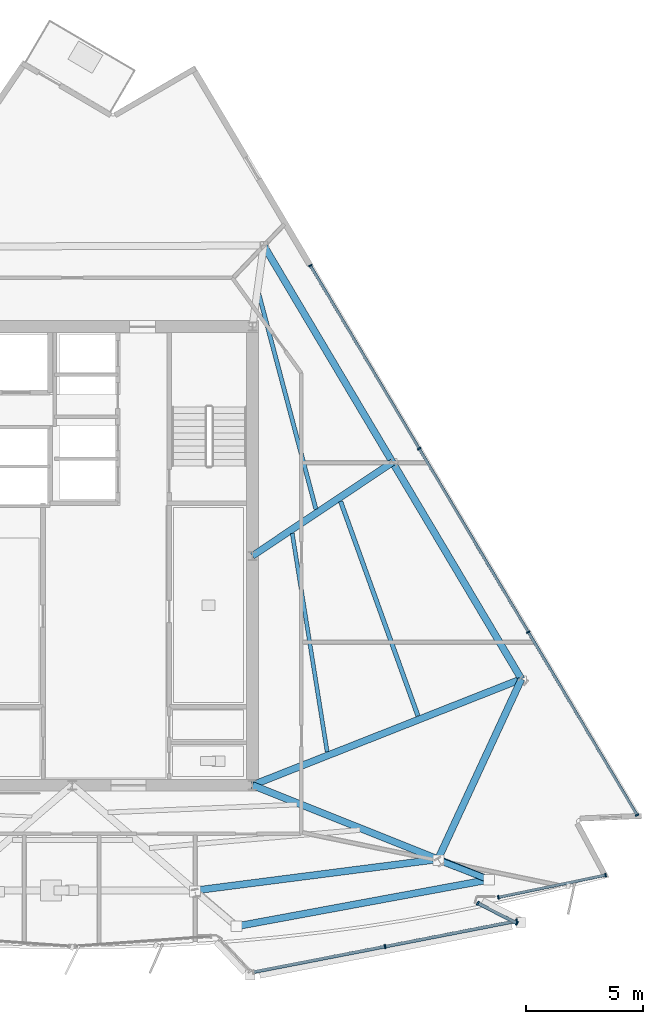
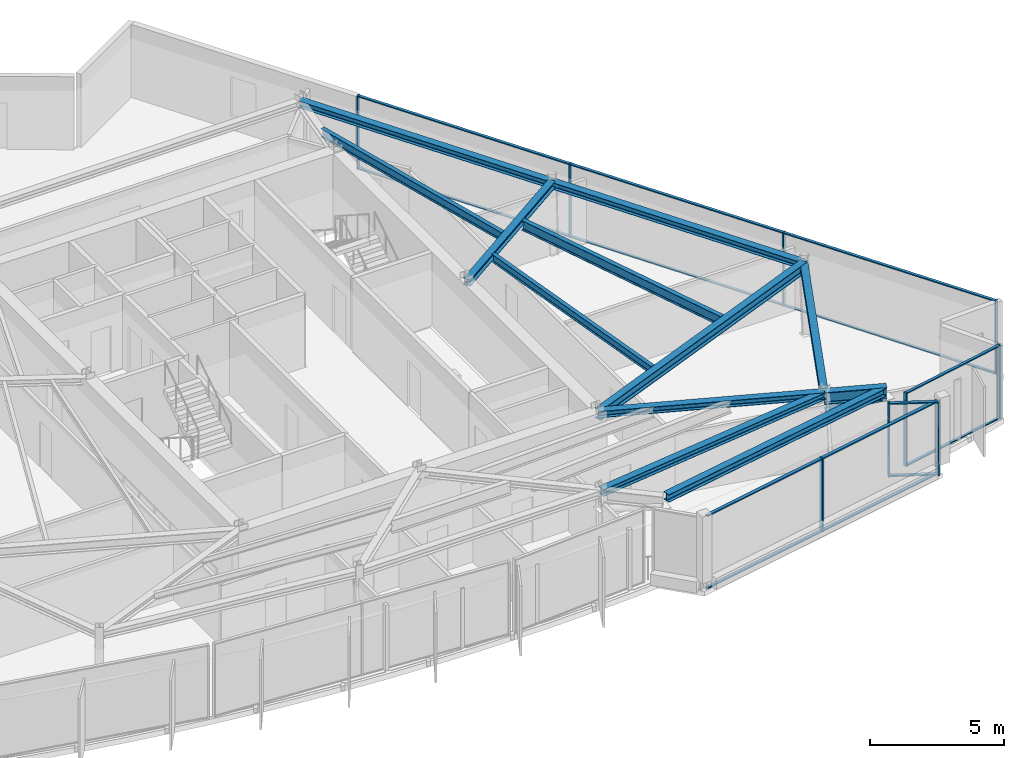
# One storey, part 5 of 12: 25 members, 12 beams, 4 elements without a shape of their own.
"""IFC4 building model written with IfcOpenShell, lengths in metres."""

from ifc_helpers import new_model, si_unit, direction, frame, origin, origin_2d, place, context, subcontext, project, spatial, rectangle, hollow_circle, i_section, extrude, material, material_profile, profile_set, type_object, element, aggregate, save


model = new_model("IFC4")

# Units and contexts
model_context = context("Model", 3, precision=1e-05, world=origin(), true_north=direction((0.0, 1.0)))
body_context = subcontext(model_context, "Body", "Model", "MODEL_VIEW")
ifc_project = project(units=[si_unit("LENGTHUNIT", "METRE"), si_unit("AREAUNIT", "SQUARE_METRE"), si_unit("VOLUMEUNIT", "CUBIC_METRE"), si_unit("PLANEANGLEUNIT", "RADIAN"), si_unit("MASSUNIT", "GRAM", prefix="KILO")], contexts=[model_context])

# Site, building, storey
site_placement = place(None, origin())
site = spatial("IfcSite", under=ifc_project, at=site_placement, CompositionType="ELEMENT")
building_placement = place(site_placement, origin())
building = spatial("IfcBuilding", under=site, at=building_placement, Name="Savorim Split Tower", CompositionType="ELEMENT")
storey_placement = place(building_placement, frame((0.0, 0.0, 261.60009765625)))
storey = spatial("IfcBuildingStorey", under=building, at=storey_placement, Name="L69", CompositionType="ELEMENT", Elevation=261.60009765625)

# Beams
ifc_material_1 = material(Name="Steel S355", Category="steel")
ifc_material_profile_1 = material_profile(ifc_material_1, i_section(OverallWidth=0.169921875, OverallDepth=0.360107421875, WebThickness=0.008056640625, FlangeThickness=0.0126953125, FilletRadius=0.01806640625, at=origin_2d()), Name="IPE 360")
ifc_profile_set_1 = profile_set([ifc_material_profile_1], Name="Steel S355")
beam_type_1 = type_object("IfcBeamType", Name="BM-JST-IPE360", PredefinedType="JOIST", material=ifc_profile_set_1)
beam_1_placement = place(storey_placement, frame((10.89404296875, -7.9716796875, 3.169921875), z_axis=(-0.157811190955, 0.987469304844, 0.0), x_axis=(-0.987469304844, -0.157811190955, 0.0)))
element("IfcBeam", 1, at=beam_1_placement, inside=storey, type_object=beam_type_1, Name="L69 Secondary Floor Joist JS-08", PredefinedType="JOIST", context=body_context, shape_type="SweptSolid", body=[
    extrude(i_section(OverallWidth=0.169921875, OverallDepth=0.360107421875, WebThickness=0.008056640625, FlangeThickness=0.0126953125, FilletRadius=0.01806640625, at=origin_2d()), origin(), (0.0, 0.0, 1.0), 9.452392578125),
])
ifc_material_profile_2 = material_profile(ifc_material_1, i_section(OverallWidth=0.179931640625, OverallDepth=0.39990234375, WebThickness=0.008544921875, FlangeThickness=0.013427734375, FilletRadius=0.02099609375, at=origin_2d()), Name="IPE 400")
ifc_profile_set_2 = profile_set([ifc_material_profile_2], Name="Steel S355")
beam_type_2 = type_object("IfcBeamType", Name="BM-JST-IPE400", PredefinedType="JOIST", material=ifc_profile_set_2)
beam_2_placement = place(storey_placement, frame((10.414306640625, 2.39501953125, 3.14990234375), z_axis=(-0.256380185379, 0.96657601902, 0.0), x_axis=(-0.96657601902, -0.256380185379, 0.0)))
element("IfcBeam", 2, at=beam_2_placement, inside=storey, type_object=beam_type_2, Name="L69 Secondary Floor Joist JS-07", PredefinedType="JOIST", context=body_context, shape_type="SweptSolid", body=[
    extrude(i_section(OverallWidth=0.179931640625, OverallDepth=0.39990234375, WebThickness=0.008544921875, FlangeThickness=0.013427734375, FilletRadius=0.02099609375, at=origin_2d()), origin(), (0.0, 0.0, 1.0), 9.5634765625),
])
ifc_material_profile_3 = material_profile(ifc_material_1, i_section(OverallWidth=0.18994140625, OverallDepth=0.449951171875, WebThickness=0.009521484375, FlangeThickness=0.0146484375, FilletRadius=0.02099609375, at=origin_2d()), Name="IPE 450")
ifc_profile_set_3 = profile_set([ifc_material_profile_3], Name="Steel S355")
beam_type_3 = type_object("IfcBeamType", Name="BM-JST-IPE450", PredefinedType="JOIST", material=ifc_profile_set_3)
beam_3_placement = place(storey_placement, frame((14.7744140625, -6.4365234375, 3.125), z_axis=(-0.339327997728, 0.940668118923, 0.0), x_axis=(-0.940668118923, -0.339327997728, 0.0)))
element("IfcBeam", 3, at=beam_3_placement, inside=storey, type_object=beam_type_3, Name="L69 Secondary Floor Joist JS-06", PredefinedType="JOIST", context=body_context, shape_type="SweptSolid", body=[
    extrude(i_section(OverallWidth=0.18994140625, OverallDepth=0.449951171875, WebThickness=0.009521484375, FlangeThickness=0.0146484375, FilletRadius=0.02099609375, at=origin_2d()), origin(), (0.0, 0.0, 1.0), 9.74462890625),
])
ifc_material_profile_4 = material_profile(ifc_material_1, i_section(OverallWidth=0.300048828125, OverallDepth=0.300048828125, WebThickness=0.010986328125, FlangeThickness=0.01904296875, FilletRadius=0.027099609375, at=origin_2d()), Name="HEB 300")
ifc_profile_set_4 = profile_set([ifc_material_profile_4], Name="Steel S355")
beam_type_4 = type_object("IfcBeamType", Name="BM-PRI-HEB300", PredefinedType="BEAM", material=ifc_profile_set_4)
beam_4_placement = place(storey_placement, frame((15.631591796875, -12.5673828125, 3.199951171875), z_axis=(-0.928685513724, 0.370868193027, 0.0), x_axis=(-0.370868193027, -0.928685513724, 0.0)))
element("IfcBeam", 4, at=beam_4_placement, inside=storey, type_object=beam_type_4, Name="L69 Primary Floor Girder RG-04", PredefinedType="BEAM", context=body_context, shape_type="SweptSolid", body=[
    extrude(i_section(OverallWidth=0.300048828125, OverallDepth=0.300048828125, WebThickness=0.010986328125, FlangeThickness=0.01904296875, FilletRadius=0.027099609375, at=origin_2d()), origin(), (0.0, 0.0, 1.0), 8.540771484375),
])
beam_5_placement = place(storey_placement, frame((13.689453125, 4.400634765625, 3.199951171875), z_axis=(-0.831554568971, -0.55544306533, 0.0), x_axis=(0.55544306533, -0.831554568971, 0.0)))
element("IfcBeam", 5, at=beam_5_placement, inside=storey, type_object=beam_type_4, Name="L69 Primary Floor Girder RG-06", PredefinedType="BEAM", context=body_context, shape_type="SweptSolid", body=[
    extrude(i_section(OverallWidth=0.300048828125, OverallDepth=0.300048828125, WebThickness=0.010986328125, FlangeThickness=0.01904296875, FilletRadius=0.027099609375, at=origin_2d()), origin(), (0.0, 0.0, 1.0), 7.202880859375),
])
ifc_material_profile_5 = material_profile(ifc_material_1, i_section(OverallWidth=0.300048828125, OverallDepth=0.449951171875, WebThickness=0.013916015625, FlangeThickness=0.02587890625, FilletRadius=0.027099609375, at=origin_2d()), Name="HEB 450")
ifc_profile_set_5 = profile_set([ifc_material_profile_5], Name="Steel S355")
beam_type_5 = type_object("IfcBeamType", Name="BM-PRI-HEB450", PredefinedType="BEAM", material=ifc_profile_set_5)
beam_6_placement = place(storey_placement, frame((19.197998046875, -4.863037109375, 3.125), z_axis=(-0.930205981142, -0.367037917181, 0.0), x_axis=(0.367037917181, -0.930205981142, 0.0)))
element("IfcBeam", 6, at=beam_6_placement, inside=storey, type_object=beam_type_5, Name="L69 Primary Floor Girder RG-05", PredefinedType="BEAM", context=body_context, shape_type="SweptSolid", body=[
    extrude(i_section(OverallWidth=0.300048828125, OverallDepth=0.449951171875, WebThickness=0.013916015625, FlangeThickness=0.02587890625, FilletRadius=0.027099609375, at=origin_2d()), origin(), (0.0, 0.0, 1.0), 12.36083984375),
])
ifc_material_profile_6 = material_profile(ifc_material_1, i_section(OverallWidth=0.300048828125, OverallDepth=0.550048828125, WebThickness=0.014892578125, FlangeThickness=0.029052734375, FilletRadius=0.027099609375, at=origin_2d()), Name="HEB 550")
ifc_profile_set_6 = profile_set([ifc_material_profile_6], Name="Steel S355")
beam_type_6 = type_object("IfcBeamType", Name="BM-PRI-HEB550", PredefinedType="BEAM", material=ifc_profile_set_6)
beam_7_placement = place(storey_placement, frame((15.631591796875, -12.5673828125, 3.074951171875), z_axis=(0.928677171562, -0.37088908183, 0.0), x_axis=(0.37088908183, 0.928677171562, 0.0)))
element("IfcBeam", 7, at=beam_7_placement, inside=storey, type_object=beam_type_6, Name="L69 Cantilevered Lounge Rib 2", PredefinedType="BEAM", context=body_context, shape_type="SweptSolid", body=[
    extrude(i_section(OverallWidth=0.300048828125, OverallDepth=0.550048828125, WebThickness=0.014892578125, FlangeThickness=0.029052734375, FilletRadius=0.027099609375, at=origin_2d()), origin(), (0.0, 0.0, 1.0), 2.35009765625),
])
ifc_material_profile_7 = material_profile(ifc_material_1, i_section(OverallWidth=0.300048828125, OverallDepth=0.31005859375, WebThickness=0.009033203125, FlangeThickness=0.015380859375, FilletRadius=0.027099609375, at=origin_2d()), Name="HEA 320")
ifc_profile_set_7 = profile_set([ifc_material_profile_7], Name="Steel S355")
beam_type_7 = type_object("IfcBeamType", Name="BM-SPN-HEA320", PredefinedType="SPANDREL", material=ifc_profile_set_7)
beam_8_placement = place(storey_placement, frame((5.239013671875, -13.90185546875, 3.19482421875), z_axis=(0.991856475874, 0.127360634682, 0.0), x_axis=(-0.127360634682, 0.991856475874, 0.0)))
element("IfcBeam", 8, at=beam_8_placement, inside=storey, type_object=beam_type_7, Name="L69 Perimeter Spandrel Beam 3", PredefinedType="SPANDREL", context=body_context, shape_type="SweptSolid", body=[
    extrude(i_section(OverallWidth=0.300048828125, OverallDepth=0.31005859375, WebThickness=0.009033203125, FlangeThickness=0.015380859375, FilletRadius=0.027099609375, at=origin_2d()), origin(), (0.0, 0.0, 1.0), 10.477783203125),
])
beam_9_placement = place(storey_placement, frame((15.631591796875, -12.5673828125, 3.19482421875), z_axis=(0.420082783209, 0.907485787906, 0.0), x_axis=(-0.907485787906, 0.420082783209, 0.0)))
element("IfcBeam", 9, at=beam_9_placement, inside=storey, type_object=beam_type_7, Name="L69 Perimeter Spandrel Beam 4", PredefinedType="SPANDREL", context=body_context, shape_type="SweptSolid", body=[
    extrude(i_section(OverallWidth=0.300048828125, OverallDepth=0.31005859375, WebThickness=0.009033203125, FlangeThickness=0.015380859375, FilletRadius=0.027099609375, at=origin_2d()), origin(), (0.0, 0.0, 1.0), 8.48974609375),
])
beam_10_placement = place(storey_placement, frame((19.197998046875, -4.863037109375, 3.19482421875), z_axis=(-0.511103888287, 0.859518944164, 0.0), x_axis=(-0.859518944164, -0.511103888287, 0.0)))
element("IfcBeam", 10, at=beam_10_placement, inside=storey, type_object=beam_type_7, Name="L69 Perimeter Spandrel Beam 5", PredefinedType="SPANDREL", context=body_context, shape_type="SweptSolid", body=[
    extrude(i_section(OverallWidth=0.300048828125, OverallDepth=0.31005859375, WebThickness=0.009033203125, FlangeThickness=0.015380859375, FilletRadius=0.027099609375, at=origin_2d()), origin(), (0.0, 0.0, 1.0), 10.77783203125),
])
beam_11_placement = place(storey_placement, frame((13.689453125, 4.400634765625, 3.19482421875), z_axis=(-0.511087153092, 0.859528895352, 0.0), x_axis=(-0.859528895352, -0.511087153092, 0.0)))
element("IfcBeam", 11, at=beam_11_placement, inside=storey, type_object=beam_type_7, Name="L69 Perimeter Spandrel Beam 6", PredefinedType="SPANDREL", context=body_context, shape_type="SweptSolid", body=[
    extrude(i_section(OverallWidth=0.300048828125, OverallDepth=0.31005859375, WebThickness=0.009033203125, FlangeThickness=0.015380859375, FilletRadius=0.027099609375, at=origin_2d()), origin(), (0.0, 0.0, 1.0), 10.777587890625),
])
ifc_material_profile_8 = material_profile(ifc_material_1, i_section(OverallWidth=0.300048828125, OverallDepth=0.35009765625, WebThickness=0.010009765625, FlangeThickness=0.017578125, FilletRadius=0.027099609375, at=origin_2d()), Name="HEA 360")
ifc_profile_set_8 = profile_set([ifc_material_profile_8], Name="Steel S355")
beam_type_8 = type_object("IfcBeamType", Name="BM-SPN-HEA360", PredefinedType="SPANDREL", material=ifc_profile_set_8)
beam_12_placement = place(storey_placement, frame((7.178466796875, -15.404296875, 3.1748046875), z_axis=(0.98335076285, 0.18171757538, 0.0), x_axis=(-0.18171757538, 0.98335076285, 0.0)))
element("IfcBeam", 12, at=beam_12_placement, inside=storey, type_object=beam_type_8, Name="L69 Cantilevered Lounge Front Edge Beam", PredefinedType="SPANDREL", context=body_context, shape_type="SweptSolid", body=[
    extrude(i_section(OverallWidth=0.300048828125, OverallDepth=0.35009765625, WebThickness=0.010009765625, FlangeThickness=0.017578125, FilletRadius=0.027099609375, at=origin_2d()), origin(), (0.0, 0.0, 1.0), 10.655517578125),
])

# Curtain wall, members
ifc_material_2 = material(Name="Dark Ceramic-Fritted Insulated Glass", Category="glass")
curtain_wall_type_1 = type_object("IfcCurtainWallType", Name="CW-TWR-FRIT-B", PredefinedType="NOTDEFINED", material=ifc_material_2)
curtain_wall_1_placement = place(storey_placement, origin())
curtain_wall_1 = element("IfcCurtainWall", 13, at=curtain_wall_1_placement, inside=storey, type_object=curtain_wall_type_1, Name="L69 Curtain Wall CW-L69-SF4A", PredefinedType="NOTDEFINED")
ifc_material_3 = material(Name="Charcoal Anodised Aluminium", Category="aluminium")
ifc_material_profile_9 = material_profile(ifc_material_3, rectangle(XDim=0.159912109375, YDim=0.06005859375, at=origin_2d()), Name="ALU-M 160x60")
ifc_profile_set_9 = profile_set([ifc_material_profile_9], Name="Charcoal Anodised Aluminium")
member_type_1 = type_object("IfcMemberType", Name="CWM-160x60", PredefinedType="MULLION", material=ifc_profile_set_9)
member_1_placement = place(storey_placement, frame((18.210205078125, -14.193359375, 0.0), z_axis=(0.0, 0.0, 1.0), x_axis=(-0.203206540915, 0.979135895435, 0.0)))
member_1 = element("IfcMember", 14, at=member_1_placement, type_object=member_type_1, Name="CW-03 mullion 1", PredefinedType="MULLION", context=body_context, shape_type="SweptSolid", body=[
    extrude(rectangle(XDim=0.159912109375, YDim=0.06005859375, at=origin_2d()), origin(), (0.0, 0.0, 1.0), 3.349853515625),
])
member_2_placement = place(storey_placement, frame((22.79541015625, -13.24169921875, 0.0), z_axis=(0.0, 0.0, 1.0), x_axis=(-0.203206540915, 0.979135895435, 0.0)))
member_2 = element("IfcMember", 15, at=member_2_placement, type_object=member_type_1, Name="CW-03 mullion 2", PredefinedType="MULLION", context=body_context, shape_type="SweptSolid", body=[
    extrude(rectangle(XDim=0.159912109375, YDim=0.06005859375, at=origin_2d()), origin(), (0.0, 0.0, 1.0), 3.349853515625),
])

curtain_wall_2_placement = place(storey_placement, origin())
curtain_wall_2 = element("IfcCurtainWall", 16, at=curtain_wall_2_placement, inside=storey, type_object=curtain_wall_type_1, Name="L69 Curtain Wall CW-L69-EAST", PredefinedType="NOTDEFINED")
member_3_placement = place(storey_placement, frame((24.138427734375, -10.678955078125, 0.0), z_axis=(0.0, 0.0, 1.0), x_axis=(-0.859527043432, -0.511090267573, 0.0)))
member_3 = element("IfcMember", 17, at=member_3_placement, type_object=member_type_1, Name="CW-03 mullion 1", PredefinedType="MULLION", context=body_context, shape_type="SweptSolid", body=[
    extrude(rectangle(XDim=0.159912109375, YDim=0.06005859375, at=origin_2d()), origin(), (0.0, 0.0, 1.0), 3.349853515625),
])
member_4_placement = place(storey_placement, frame((19.48828125, -2.85888671875, 0.0), z_axis=(0.0, 0.0, 1.0), x_axis=(-0.859527043432, -0.511090267573, 0.0)))
member_4 = element("IfcMember", 18, at=member_4_placement, type_object=member_type_1, Name="CW-03 mullion 2", PredefinedType="MULLION", context=body_context, shape_type="SweptSolid", body=[
    extrude(rectangle(XDim=0.159912109375, YDim=0.06005859375, at=origin_2d()), origin(), (0.0, 0.0, 1.0), 3.349853515625),
])
member_5_placement = place(storey_placement, frame((14.822998046875, 4.987060546875, 0.0), z_axis=(0.0, 0.0, 1.0), x_axis=(-0.859527043432, -0.511090267573, 0.0)))
member_5 = element("IfcMember", 19, at=member_5_placement, type_object=member_type_1, Name="CW-03 mullion 3", PredefinedType="MULLION", context=body_context, shape_type="SweptSolid", body=[
    extrude(rectangle(XDim=0.159912109375, YDim=0.06005859375, at=origin_2d()), origin(), (0.0, 0.0, 1.0), 3.349853515625),
])
member_6_placement = place(storey_placement, frame((10.173095703125, 12.80712890625, 0.0), z_axis=(0.0, 0.0, 1.0), x_axis=(-0.859527043432, -0.511090267573, 0.0)))
member_6 = element("IfcMember", 20, at=member_6_placement, type_object=member_type_1, Name="CW-03 mullion 4", PredefinedType="MULLION", context=body_context, shape_type="SweptSolid", body=[
    extrude(rectangle(XDim=0.159912109375, YDim=0.06005859375, at=origin_2d()), origin(), (0.0, 0.0, 1.0), 3.349853515625),
])

curtain_wall_type_2 = type_object("IfcCurtainWallType", Name="CW-BAY-LOUNGE", PredefinedType="NOTDEFINED", material=ifc_material_2)
curtain_wall_3_placement = place(storey_placement, origin())
curtain_wall_3 = element("IfcCurtainWall", 21, at=curtain_wall_3_placement, inside=storey, type_object=curtain_wall_type_2, Name="L69 Curtain Wall CW-L69-BAYF", PredefinedType="NOTDEFINED")
ifc_material_profile_10 = material_profile(ifc_material_3, rectangle(XDim=0.179931640625, YDim=0.06494140625, at=origin_2d()), Name="ALU-M 180x65")
ifc_profile_set_10 = profile_set([ifc_material_profile_10], Name="Charcoal Anodised Aluminium")
member_type_2 = type_object("IfcMemberType", Name="CWM-180x65", PredefinedType="MULLION", material=ifc_profile_set_10)
member_7_placement = place(storey_placement, frame((13.368896484375, -16.29736328125, 0.0), z_axis=(0.0, 0.0, 1.0), x_axis=(-0.190519987082, 0.98168331682, 0.0)))
member_7 = element("IfcMember", 22, at=member_7_placement, type_object=member_type_2, Name="CW-04 mullion 2", PredefinedType="MULLION", context=body_context, shape_type="SweptSolid", body=[
    extrude(rectangle(XDim=0.179931640625, YDim=0.06494140625, at=origin_2d()), origin(), (0.0, 0.0, 1.0), 3.349853515625),
])
member_8_placement = place(storey_placement, frame((18.999267578125, -15.20458984375, 0.0), z_axis=(0.0, 0.0, 1.0), x_axis=(-0.190519987082, 0.98168331682, 0.0)))
member_8 = element("IfcMember", 23, at=member_8_placement, type_object=member_type_2, Name="CW-04 mullion 3", PredefinedType="MULLION", context=body_context, shape_type="SweptSolid", body=[
    extrude(rectangle(XDim=0.179931640625, YDim=0.06494140625, at=origin_2d()), origin(), (0.0, 0.0, 1.0), 3.349853515625),
])

curtain_wall_4_placement = place(storey_placement, origin())
curtain_wall_4 = element("IfcCurtainWall", 24, at=curtain_wall_4_placement, inside=storey, type_object=curtain_wall_type_2, Name="L69 Curtain Wall CW-L69-BAYE", PredefinedType="NOTDEFINED")
member_9_placement = place(storey_placement, frame((19.00439453125, -15.302490234375, 0.0), z_axis=(0.0, 0.0, 1.0), x_axis=(-0.455832046827, -0.890065809413, 0.0)))
member_9 = element("IfcMember", 25, at=member_9_placement, type_object=member_type_2, Name="CW-04 mullion 1", PredefinedType="MULLION", context=body_context, shape_type="SweptSolid", body=[
    extrude(rectangle(XDim=0.179931640625, YDim=0.06494140625, at=origin_2d()), origin(), (0.0, 0.0, 1.0), 3.349853515625),
])
member_10_placement = place(storey_placement, frame((17.335693359375, -14.44775390625, 0.0), z_axis=(0.0, 0.0, 1.0), x_axis=(-0.455832046827, -0.890065809413, 0.0)))
member_10 = element("IfcMember", 26, at=member_10_placement, type_object=member_type_2, Name="CW-04 mullion 2", PredefinedType="MULLION", context=body_context, shape_type="SweptSolid", body=[
    extrude(rectangle(XDim=0.179931640625, YDim=0.06494140625, at=origin_2d()), origin(), (0.0, 0.0, 1.0), 3.349853515625),
])

# Member
ifc_material_profile_11 = material_profile(ifc_material_3, rectangle(XDim=0.1201171875, YDim=0.050048828125, at=origin_2d()), Name="ALU-T 120x50")
ifc_profile_set_11 = profile_set([ifc_material_profile_11], Name="Charcoal Anodised Aluminium")
member_type_3 = type_object("IfcMemberType", Name="CWT-120x50", PredefinedType="USERDEFINED", material=ifc_profile_set_11)
member_11_placement = place(storey_placement, frame((18.23974609375, -14.187255859375, 0.02490234375), z_axis=(0.979133044379, 0.203220278035, 0.0), x_axis=(-0.203220278035, 0.979133044379, 0.0)))
member_11 = element("IfcMember", 27, at=member_11_placement, type_object=member_type_3, Name="CW-03 transom 1.1", ObjectType="TRANSOM", PredefinedType="USERDEFINED", context=body_context, shape_type="SweptSolid", body=[
    extrude(rectangle(XDim=0.1201171875, YDim=0.050048828125, at=origin_2d()), origin(), (0.0, 0.0, 1.0), 4.622802734375),
])

member_12_placement = place(storey_placement, frame((18.23974609375, -14.187255859375, 3.324951171875), z_axis=(0.979133044379, 0.203220278035, 0.0), x_axis=(-0.203220278035, 0.979133044379, 0.0)))
member_12 = element("IfcMember", 28, at=member_12_placement, type_object=member_type_3, Name="CW-03 transom 1.2", ObjectType="TRANSOM", PredefinedType="USERDEFINED", context=body_context, shape_type="SweptSolid", body=[
    extrude(rectangle(XDim=0.1201171875, YDim=0.050048828125, at=origin_2d()), origin(), (0.0, 0.0, 1.0), 4.622802734375),
])

aggregate(curtain_wall_1, [member_1, member_2, member_11, member_12])

member_13_placement = place(storey_placement, frame((24.123046875, -10.6533203125, 0.02490234375), z_axis=(-0.511095349308, 0.859524021721, 0.0), x_axis=(-0.859524021721, -0.511095349308, 0.0)))
member_13 = element("IfcMember", 29, at=member_13_placement, type_object=member_type_3, Name="CW-03 transom 1.1", ObjectType="TRANSOM", PredefinedType="USERDEFINED", context=body_context, shape_type="SweptSolid", body=[
    extrude(rectangle(XDim=0.1201171875, YDim=0.050048828125, at=origin_2d()), origin(), (0.0, 0.0, 1.0), 9.0380859375),
])

member_14_placement = place(storey_placement, frame((24.123046875, -10.6533203125, 3.324951171875), z_axis=(-0.511095349308, 0.859524021721, 0.0), x_axis=(-0.859524021721, -0.511095349308, 0.0)))
member_14 = element("IfcMember", 30, at=member_14_placement, type_object=member_type_3, Name="CW-03 transom 1.2", ObjectType="TRANSOM", PredefinedType="USERDEFINED", context=body_context, shape_type="SweptSolid", body=[
    extrude(rectangle(XDim=0.1201171875, YDim=0.050048828125, at=origin_2d()), origin(), (0.0, 0.0, 1.0), 9.0380859375),
])

member_15_placement = place(storey_placement, frame((19.47314453125, -2.8330078125, 0.02490234375), z_axis=(-0.511106572679, 0.859517347913, 0.0), x_axis=(-0.859517347913, -0.511106572679, 0.0)))
member_15 = element("IfcMember", 31, at=member_15_placement, type_object=member_type_3, Name="CW-03 transom 2.1", ObjectType="TRANSOM", PredefinedType="USERDEFINED", context=body_context, shape_type="SweptSolid", body=[
    extrude(rectangle(XDim=0.1201171875, YDim=0.050048828125, at=origin_2d()), origin(), (0.0, 0.0, 1.0), 9.068115234375),
])

member_16_placement = place(storey_placement, frame((19.47314453125, -2.8330078125, 3.324951171875), z_axis=(-0.511106572679, 0.859517347913, 0.0), x_axis=(-0.859517347913, -0.511106572679, 0.0)))
member_16 = element("IfcMember", 32, at=member_16_placement, type_object=member_type_3, Name="CW-03 transom 2.2", ObjectType="TRANSOM", PredefinedType="USERDEFINED", context=body_context, shape_type="SweptSolid", body=[
    extrude(rectangle(XDim=0.1201171875, YDim=0.050048828125, at=origin_2d()), origin(), (0.0, 0.0, 1.0), 9.068115234375),
])

member_17_placement = place(storey_placement, frame((14.8076171875, 5.012939453125, 0.02490234375), z_axis=(-0.511075392877, 0.859535888021, 0.0), x_axis=(-0.859535888021, -0.511075392877, 0.0)))
member_17 = element("IfcMember", 33, at=member_17_placement, type_object=member_type_3, Name="CW-03 transom 3.1", ObjectType="TRANSOM", PredefinedType="USERDEFINED", context=body_context, shape_type="SweptSolid", body=[
    extrude(rectangle(XDim=0.1201171875, YDim=0.050048828125, at=origin_2d()), origin(), (0.0, 0.0, 1.0), 9.0380859375),
])

member_18_placement = place(storey_placement, frame((14.8076171875, 5.012939453125, 3.324951171875), z_axis=(-0.511075392877, 0.859535888021, 0.0), x_axis=(-0.859535888021, -0.511075392877, 0.0)))
member_18 = element("IfcMember", 34, at=member_18_placement, type_object=member_type_3, Name="CW-03 transom 3.2", ObjectType="TRANSOM", PredefinedType="USERDEFINED", context=body_context, shape_type="SweptSolid", body=[
    extrude(rectangle(XDim=0.1201171875, YDim=0.050048828125, at=origin_2d()), origin(), (0.0, 0.0, 1.0), 9.0380859375),
])

aggregate(curtain_wall_2, [member_3, member_4, member_5, member_6, member_13, member_14, member_15, member_16, member_17, member_18])

ifc_material_profile_12 = material_profile(ifc_material_3, rectangle(XDim=0.139892578125, YDim=0.054931640625, at=origin_2d()), Name="ALU-T 140x55")
ifc_profile_set_12 = profile_set([ifc_material_profile_12], Name="Charcoal Anodised Aluminium")
member_type_4 = type_object("IfcMemberType", Name="CWT-140x55", PredefinedType="USERDEFINED", material=ifc_profile_set_12)
member_19_placement = place(storey_placement, frame((7.7705078125, -17.384033203125, 0.02734375), z_axis=(0.98168255416, 0.190523916761, 0.0), x_axis=(-0.190523916761, 0.98168255416, 0.0)))
member_19 = element("IfcMember", 35, at=member_19_placement, type_object=member_type_4, Name="CW-04 transom 1.1", ObjectType="TRANSOM", PredefinedType="USERDEFINED", context=body_context, shape_type="SweptSolid", body=[
    extrude(rectangle(XDim=0.139892578125, YDim=0.054931640625, at=origin_2d()), origin(), (0.0, 0.0, 1.0), 5.670166015625),
])

member_20_placement = place(storey_placement, frame((7.7705078125, -17.384033203125, 3.322509765625), z_axis=(0.98168255416, 0.190523916761, 0.0), x_axis=(-0.190523916761, 0.98168255416, 0.0)))
member_20 = element("IfcMember", 36, at=member_20_placement, type_object=member_type_4, Name="CW-04 transom 1.2", ObjectType="TRANSOM", PredefinedType="USERDEFINED", context=body_context, shape_type="SweptSolid", body=[
    extrude(rectangle(XDim=0.139892578125, YDim=0.054931640625, at=origin_2d()), origin(), (0.0, 0.0, 1.0), 5.670166015625),
])

member_21_placement = place(storey_placement, frame((13.400634765625, -16.291259765625, 0.02734375), z_axis=(0.981684116975, 0.190515864112, 0.0), x_axis=(-0.190515864112, 0.981684116975, 0.0)))
member_21 = element("IfcMember", 37, at=member_21_placement, type_object=member_type_4, Name="CW-04 transom 2.1", ObjectType="TRANSOM", PredefinedType="USERDEFINED", context=body_context, shape_type="SweptSolid", body=[
    extrude(rectangle(XDim=0.139892578125, YDim=0.054931640625, at=origin_2d()), origin(), (0.0, 0.0, 1.0), 5.67041015625),
])

member_22_placement = place(storey_placement, frame((13.400634765625, -16.291259765625, 3.322509765625), z_axis=(0.981684116975, 0.190515864112, 0.0), x_axis=(-0.190515864112, 0.981684116975, 0.0)))
member_22 = element("IfcMember", 38, at=member_22_placement, type_object=member_type_4, Name="CW-04 transom 2.2", ObjectType="TRANSOM", PredefinedType="USERDEFINED", context=body_context, shape_type="SweptSolid", body=[
    extrude(rectangle(XDim=0.139892578125, YDim=0.054931640625, at=origin_2d()), origin(), (0.0, 0.0, 1.0), 5.67041015625),
])

aggregate(curtain_wall_3, [member_7, member_8, member_19, member_20, member_21, member_22])

member_23_placement = place(storey_placement, frame((18.9755859375, -15.28759765625, 0.02734375), z_axis=(-0.89009675282, 0.455771621121, 0.0), x_axis=(-0.455771621121, -0.89009675282, 0.0)))
member_23 = element("IfcMember", 39, at=member_23_placement, type_object=member_type_4, Name="CW-04 transom 1.1", ObjectType="TRANSOM", PredefinedType="USERDEFINED", context=body_context, shape_type="SweptSolid", body=[
    extrude(rectangle(XDim=0.139892578125, YDim=0.054931640625, at=origin_2d()), origin(), (0.0, 0.0, 1.0), 1.81005859375),
])

member_24_placement = place(storey_placement, frame((18.9755859375, -15.28759765625, 3.322509765625), z_axis=(-0.89009675282, 0.455771621121, 0.0), x_axis=(-0.455771621121, -0.89009675282, 0.0)))
member_24 = element("IfcMember", 40, at=member_24_placement, type_object=member_type_4, Name="CW-04 transom 1.2", ObjectType="TRANSOM", PredefinedType="USERDEFINED", context=body_context, shape_type="SweptSolid", body=[
    extrude(rectangle(XDim=0.139892578125, YDim=0.054931640625, at=origin_2d()), origin(), (0.0, 0.0, 1.0), 1.81005859375),
])

aggregate(curtain_wall_4, [member_9, member_10, member_23, member_24])

ifc_material_profile_13 = material_profile(ifc_material_1, hollow_circle(Radius=0.136474609375, WallThickness=0.01611328125, at=origin_2d()), Name="CHS 273x16")
ifc_profile_set_13 = profile_set([ifc_material_profile_13], Name="Steel S355")
member_type_5 = type_object("IfcMemberType", Name="MBR-CRN-CHS273", PredefinedType="BRACE", material=ifc_profile_set_13)
member_25_placement = place(storey_placement, frame((15.655029296875, -12.60595703125, 2.449951171875), z_axis=(0.921267707439, -0.355463690804, 0.157833379709), x_axis=(0.359975713322, 0.932961674357, 0.0)))
element("IfcMember", 41, at=member_25_placement, inside=storey, type_object=member_type_5, Name="L69 Cantilevered Bay Support Strut 2", PredefinedType="BRACE", context=body_context, shape_type="SweptSolid", body=[
    extrude(hollow_circle(Radius=0.136474609375, WallThickness=0.01611328125, at=origin_2d()), origin(), (0.0, 0.0, 1.0), 2.343505859375),
])

save(model, "model.ifc")
